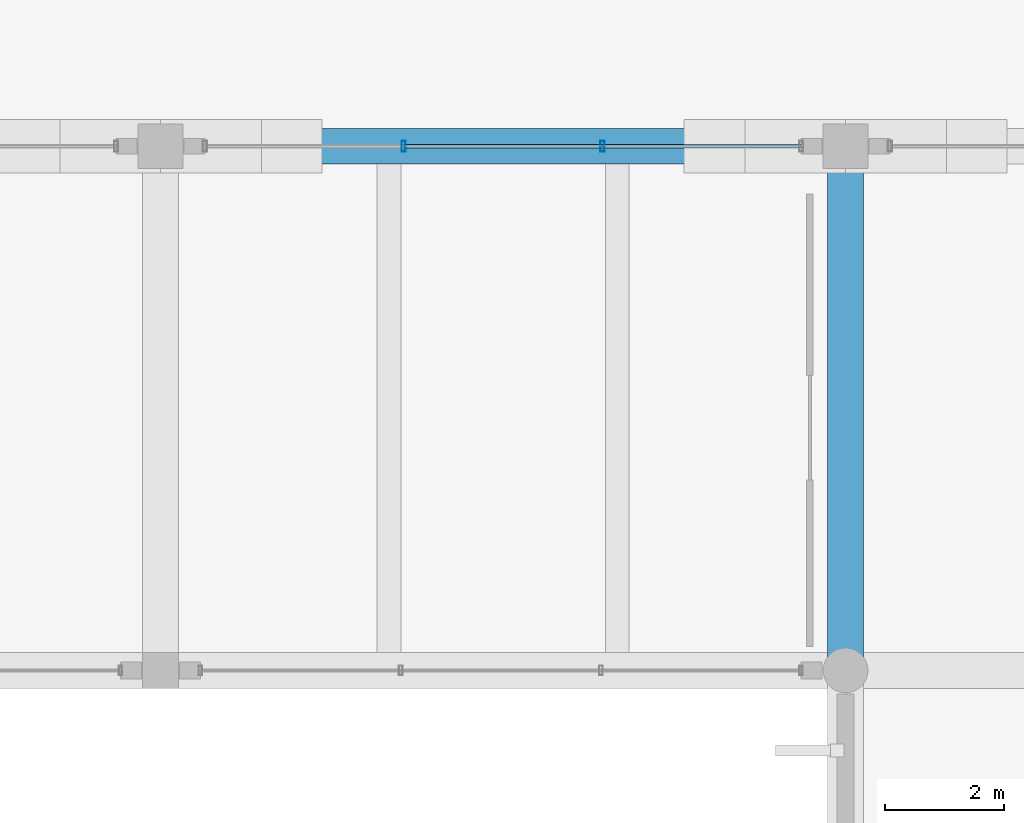
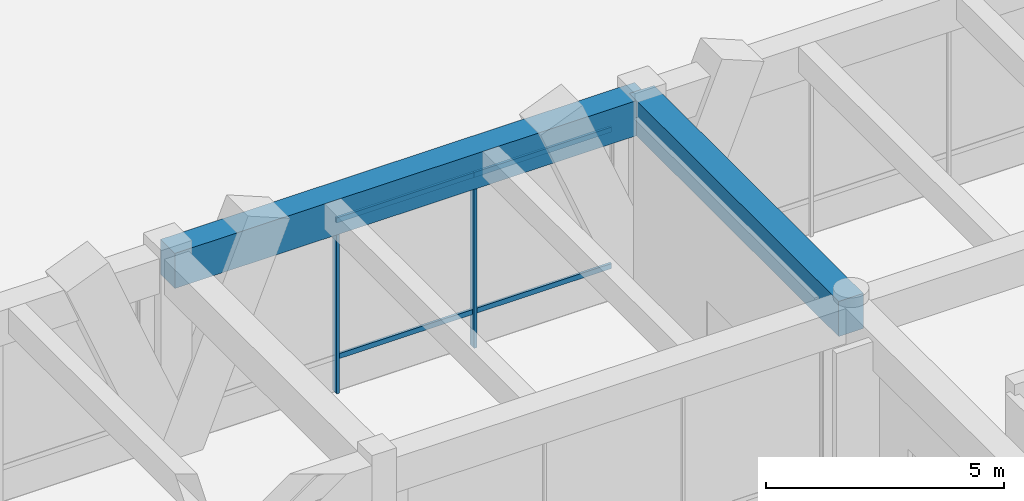
# One storey, part 21 of 148: 6 members, 2 beams, 1 element without a shape of its own.
"""IFC4 building model written with IfcOpenShell, lengths in metres."""

from ifc_helpers import new_model, si_unit, direction, frame, origin, origin_2d, place, context, subcontext, project, spatial, rectangle, hollow_rectangle, extrude, material, material_profile, profile_set, type_object, element, aggregate, save


model = new_model("IFC4")

# Units and contexts
model_context = context("Model", 3, precision=1e-05, world=origin(), true_north=direction((0.0, 1.0)))
body_context = subcontext(model_context, "Body", "Model", "MODEL_VIEW")
ifc_project = project(units=[si_unit("LENGTHUNIT", "METRE"), si_unit("AREAUNIT", "SQUARE_METRE"), si_unit("VOLUMEUNIT", "CUBIC_METRE"), si_unit("PLANEANGLEUNIT", "RADIAN"), si_unit("MASSUNIT", "GRAM", prefix="KILO")], contexts=[model_context])

# Site, building, storey
site_placement = place(None, origin())
site = spatial("IfcSite", under=ifc_project, at=site_placement, CompositionType="ELEMENT")
building_placement = place(site_placement, origin())
building = spatial("IfcBuilding", under=site, at=building_placement, Name="Ologun Quay Terminus", CompositionType="ELEMENT")
storey_placement = place(building_placement, frame((0.0, 0.0, 8.39990234375)))
storey = spatial("IfcBuildingStorey", under=building, at=storey_placement, Name="L02", CompositionType="ELEMENT", Elevation=8.39990234375)

# Curtain wall, members
ifc_material_1 = material(Name="Aluminium 6063-T6", Category="aluminium")
curtain_wall_type = type_object("IfcCurtainWallType", Name="Train Shed South Clerestory Curtain Wall 10700x5050", PredefinedType="USERDEFINED", material=ifc_material_1)
curtain_wall_placement = place(storey_placement, origin())
curtain_wall = element("IfcCurtainWall", 1, at=curtain_wall_placement, inside=storey, type_object=curtain_wall_type, Name="CW-08 Curtain Wall CW-L02-052", ObjectType="UNITISED CURTAIN WALL", PredefinedType="USERDEFINED")
ifc_material_2 = material(Name="Aluminium 6063-T6", Category="aluminium")
ifc_material_profile_1 = material_profile(ifc_material_2, hollow_rectangle(XDim=0.070068359375, YDim=0.179931640625, WallThickness=0.0048828125, at=origin_2d()), Name="ALU 180x70x5")
ifc_profile_set_1 = profile_set([ifc_material_profile_1], Name="Aluminium 6063-T6")
member_type_1 = type_object("IfcMemberType", Name="Concourse Clerestory Mullion 180x70", PredefinedType="MULLION", material=ifc_profile_set_1)
member_1_placement = place(storey_placement, frame((50.081787109375, 36.0, 0.0), z_axis=(0.0, 0.0, 1.0), x_axis=(1.0, 0.0, 0.0)))
member_1 = element("IfcMember", 2, at=member_1_placement, type_object=member_type_1, Name="CW-L02-052 Mullion 2", PredefinedType="MULLION", context=body_context, shape_type="SweptSolid", body=[
    extrude(hollow_rectangle(XDim=0.070068359375, YDim=0.179931640625, WallThickness=0.0048828125, at=origin_2d()), origin(), (0.0, 0.0, 1.0), 5.10009765625),
])
member_2_placement = place(storey_placement, frame((53.418212890625, 36.0, 0.0), z_axis=(0.0, 0.0, 1.0), x_axis=(1.0, 0.0, 0.0)))
member_2 = element("IfcMember", 3, at=member_2_placement, type_object=member_type_1, Name="CW-L02-052 Mullion 3", PredefinedType="MULLION", context=body_context, shape_type="SweptSolid", body=[
    extrude(hollow_rectangle(XDim=0.070068359375, YDim=0.179931640625, WallThickness=0.0048828125, at=origin_2d()), origin(), (0.0, 0.0, 1.0), 5.10009765625),
])
ifc_material_3 = material(Name="Aluminium 6063-T6", Category="aluminium")
ifc_material_profile_2 = material_profile(ifc_material_3, hollow_rectangle(XDim=0.06005859375, YDim=0.1298828125, WallThickness=0.00390625, at=origin_2d()), Name="ALU 130x60x4")
ifc_profile_set_2 = profile_set([ifc_material_profile_2], Name="Aluminium 6063-T6")
member_type_2 = type_object("IfcMemberType", Name="Concourse Clerestory Transom 130x60", PredefinedType="USERDEFINED", material=ifc_profile_set_2)
member_3_placement = place(storey_placement, frame((50.081787109375, 36.0, 0.900146484375), z_axis=(1.0, 0.0, 0.0), x_axis=(0.0, 1.0, 0.0)))
member_3 = element("IfcMember", 4, at=member_3_placement, type_object=member_type_2, Name="CW-L02-052 Transom B2-1", ObjectType="TRANSOM", PredefinedType="USERDEFINED", context=body_context, shape_type="SweptSolid", body=[
    extrude(hollow_rectangle(XDim=0.06005859375, YDim=0.1298828125, WallThickness=0.00390625, at=origin_2d()), origin(), (0.0, 0.0, 1.0), 3.33642578125),
])
member_4_placement = place(storey_placement, frame((50.081787109375, 36.0, 4.400146484375), z_axis=(1.0, 0.0, 0.0), x_axis=(0.0, 1.0, 0.0)))
member_4 = element("IfcMember", 5, at=member_4_placement, type_object=member_type_2, Name="CW-L02-052 Transom B2-2", ObjectType="TRANSOM", PredefinedType="USERDEFINED", context=body_context, shape_type="SweptSolid", body=[
    extrude(hollow_rectangle(XDim=0.06005859375, YDim=0.1298828125, WallThickness=0.00390625, at=origin_2d()), origin(), (0.0, 0.0, 1.0), 3.33642578125),
])
member_5_placement = place(storey_placement, frame((53.418212890625, 36.0, 0.900146484375), z_axis=(1.0, 0.0, 0.0), x_axis=(0.0, 1.0, 0.0)))
member_5 = element("IfcMember", 6, at=member_5_placement, type_object=member_type_2, Name="CW-L02-052 Transom B3-1", ObjectType="TRANSOM", PredefinedType="USERDEFINED", context=body_context, shape_type="SweptSolid", body=[
    extrude(hollow_rectangle(XDim=0.06005859375, YDim=0.1298828125, WallThickness=0.00390625, at=origin_2d()), origin(), (0.0, 0.0, 1.0), 3.336669921875),
])
member_6_placement = place(storey_placement, frame((53.418212890625, 36.0, 4.400146484375), z_axis=(1.0, 0.0, 0.0), x_axis=(0.0, 1.0, 0.0)))
member_6 = element("IfcMember", 7, at=member_6_placement, type_object=member_type_2, Name="CW-L02-052 Transom B3-2", ObjectType="TRANSOM", PredefinedType="USERDEFINED", context=body_context, shape_type="SweptSolid", body=[
    extrude(hollow_rectangle(XDim=0.06005859375, YDim=0.1298828125, WallThickness=0.00390625, at=origin_2d()), origin(), (0.0, 0.0, 1.0), 3.336669921875),
])
aggregate(curtain_wall, [member_1, member_2, member_3, member_4, member_5, member_6])

# Beams
ifc_material_4 = material(Name="Concrete C40/50", Category="concrete")
ifc_material_profile_3 = material_profile(ifc_material_4, rectangle(XDim=0.60009765625, YDim=0.89990234375, at=origin_2d()), Name="RC 600x900")
ifc_profile_set_3 = profile_set([ifc_material_profile_3], Name="Concrete C40/50")
beam_type = type_object("IfcBeamType", Name="Station Frame Girder 600x900", PredefinedType="BEAM", material=ifc_profile_set_3)
beam_1_placement = place(storey_placement, frame((46.0, 36.0, 4.7001953125), z_axis=(1.0, 0.0, 0.0), x_axis=(0.0, 1.0, 0.0)))
element("IfcBeam", 8, at=beam_1_placement, inside=storey, type_object=beam_type, Name="B3 Beam 5/E L02", PredefinedType="BEAM", context=body_context, shape_type="SweptSolid", body=[
    extrude(rectangle(XDim=0.60009765625, YDim=0.89990234375, at=origin_2d()), origin(), (0.0, 0.0, 1.0), 11.5),
])
beam_2_placement = place(storey_placement, frame((57.5, 27.199951171875, 4.7001953125), z_axis=(0.0, 1.0, 0.0), x_axis=(-1.0, 0.0, 0.0)))
element("IfcBeam", 9, at=beam_2_placement, inside=storey, type_object=beam_type, Name="B3 Beam 6/D L02", PredefinedType="BEAM", context=body_context, shape_type="SweptSolid", body=[
    extrude(rectangle(XDim=0.60009765625, YDim=0.89990234375, at=origin_2d()), origin(), (0.0, 0.0, 1.0), 8.800048828125),
])

save(model, "model.ifc")
